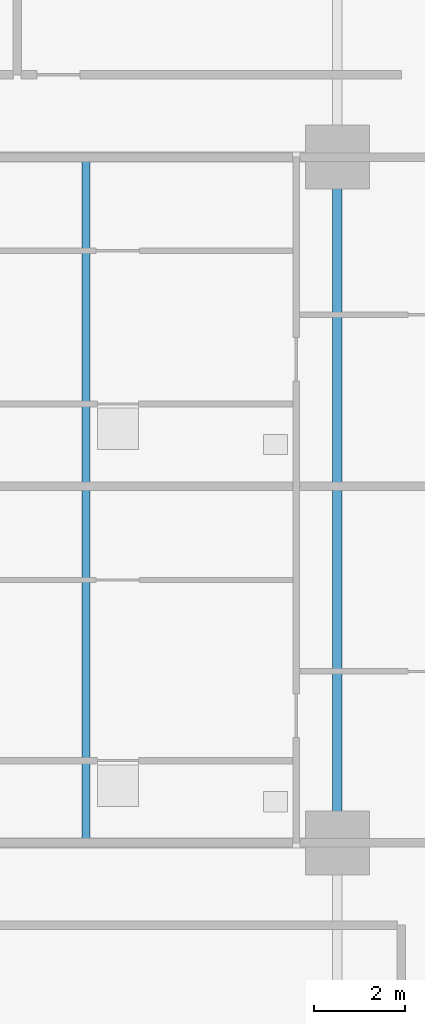
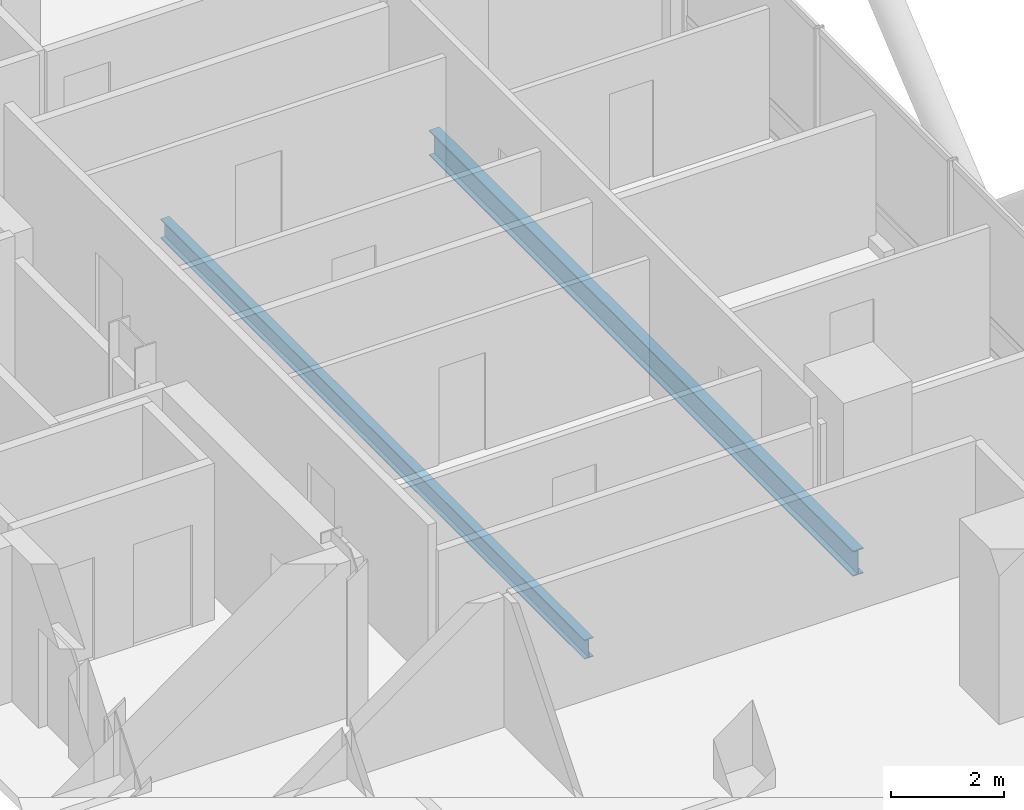
# One storey, part 11 of 27: 2 beams.
"""IFC4 building model written with IfcOpenShell, lengths in metres."""

from ifc_helpers import new_model, si_unit, direction, frame, origin, origin_2d, place, context, subcontext, project, spatial, i_section, extrude, material, material_profile, profile_set, type_object, element, save


model = new_model("IFC4")

# Units and contexts
model_context = context("Model", 3, precision=1e-05, world=origin(), true_north=direction((0.0, 1.0)))
body_context = subcontext(model_context, "Body", "Model", "MODEL_VIEW")
ifc_project = project(units=[si_unit("LENGTHUNIT", "METRE"), si_unit("AREAUNIT", "SQUARE_METRE"), si_unit("VOLUMEUNIT", "CUBIC_METRE"), si_unit("PLANEANGLEUNIT", "RADIAN"), si_unit("MASSUNIT", "GRAM", prefix="KILO")], contexts=[model_context])

# Site, building, storey
site_placement = place(None, origin())
site = spatial("IfcSite", under=ifc_project, at=site_placement, CompositionType="ELEMENT")
building_placement = place(site_placement, origin())
building = spatial("IfcBuilding", under=site, at=building_placement, Name="Barlavira Tower and Art Museum", CompositionType="ELEMENT")
storey_placement = place(building_placement, frame((0.0, 0.0, 72.0)))
storey = spatial("IfcBuildingStorey", under=building, at=storey_placement, Name="L17", CompositionType="ELEMENT", Elevation=72.0)

# Beams
ifc_material = material(Name="Steel S355", Category="steel")
ifc_material_profile_1 = material_profile(ifc_material, i_section(OverallWidth=0.180908203125, OverallDepth=0.4169921875, WebThickness=0.010986328125, FlangeThickness=0.018310546875, at=origin_2d()), Name="W410x85.0")
ifc_profile_set_1 = profile_set([ifc_material_profile_1], Name="Steel S355")
beam_type_1 = type_object("IfcBeamType", Name="Zone 1 Composite Floor Joist W410x85 Steel S355", PredefinedType="JOIST", material=ifc_profile_set_1)
beam_1_placement = place(storey_placement, frame((11.5, -7.5, -0.428466796875), z_axis=(0.0, 1.0, 0.0), x_axis=(-1.0, 0.0, 0.0)))
element("IfcBeam", 1, at=beam_1_placement, inside=storey, type_object=beam_type_1, Name="L17 Joist W2", PredefinedType="JOIST", context=body_context, shape_type="SweptSolid", body=[
    extrude(i_section(OverallWidth=0.180908203125, OverallDepth=0.4169921875, WebThickness=0.010986328125, FlangeThickness=0.018310546875, at=origin_2d()), origin(), (0.0, 0.0, 1.0), 15.0),
])
ifc_material_profile_2 = material_profile(ifc_material, i_section(OverallWidth=0.214111328125, OverallDepth=0.549072265625, WebThickness=0.0146484375, FlangeThickness=0.023681640625, at=origin_2d()), Name="W530x138.0")
ifc_profile_set_2 = profile_set([ifc_material_profile_2], Name="Steel S355")
beam_type_2 = type_object("IfcBeamType", Name="Zone 1 Primary Floor Girder W530x138 Steel S355", PredefinedType="BEAM", material=ifc_profile_set_2)
beam_2_placement = place(storey_placement, frame((17.0, -7.5, -0.494384765625), z_axis=(0.0, 1.0, 0.0), x_axis=(-1.0, 0.0, 0.0)))
element("IfcBeam", 2, at=beam_2_placement, inside=storey, type_object=beam_type_2, Name="L17 Girder M-E2", PredefinedType="BEAM", context=body_context, shape_type="SweptSolid", body=[
    extrude(i_section(OverallWidth=0.214111328125, OverallDepth=0.549072265625, WebThickness=0.0146484375, FlangeThickness=0.023681640625, at=origin_2d()), origin(), (0.0, 0.0, 1.0), 15.0),
])

save(model, "model.ifc")
